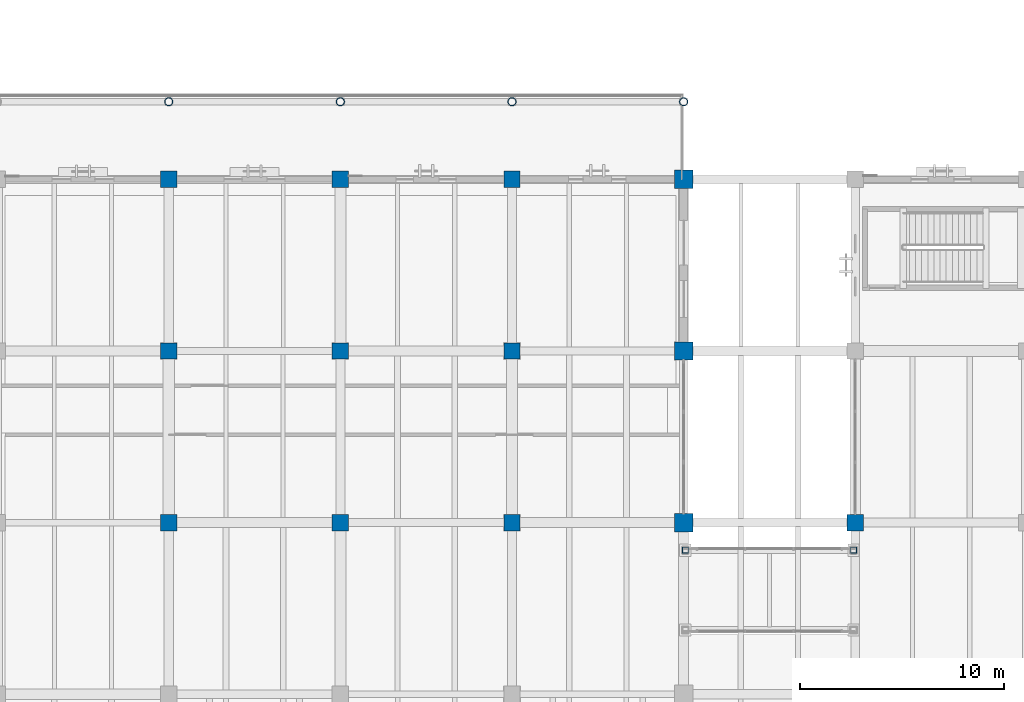
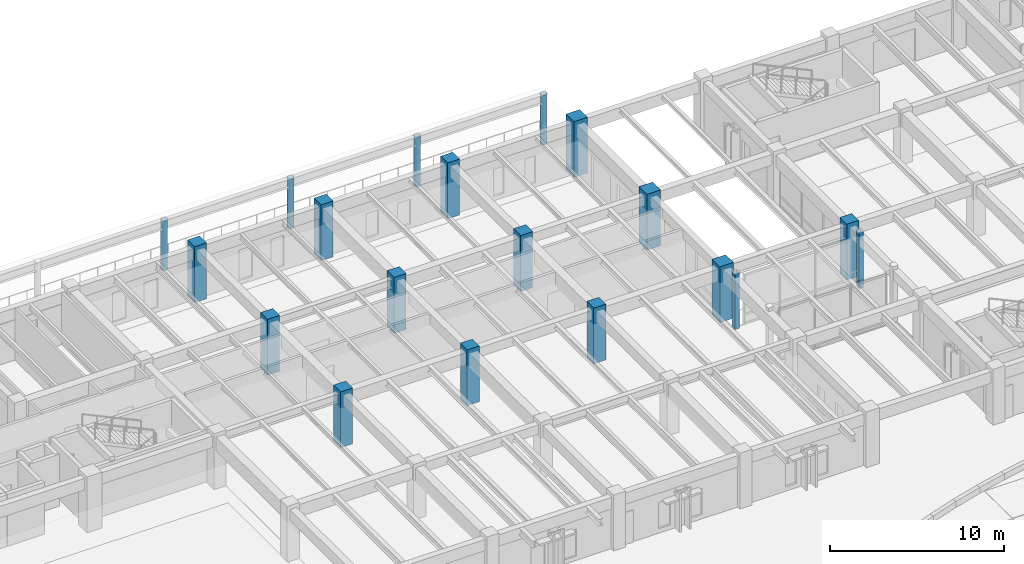
# One storey, part 15 of 135: 19 columns.
"""IFC4 building model written with IfcOpenShell, lengths in metres."""

import ifcopenshell
import ifcopenshell.guid

model = None  # the IFC model being written
_history = None  # IfcOwnerHistory: only IFC2X3 demands one
_inside = {}  # id of a spatial element -> (the spatial element, [elements in it])
_under = {}  # id of a project, library or spatial element -> (it, [spatial elements below it])
_declared = {}  # id of a project -> (the project, [libraries it declares])
_typed = {}  # id of a type object -> (the type object, [elements of that type])
_made_of = {}  # id of a material, layer set ... -> (it, [elements and type objects made of it])


def new_model(schema):
    """Start an empty IFC model of exactly this schema.

    Asked for "IFC4X3", IfcOpenShell would pick the latest addendum, in which some entities
    have other attributes; the version numbers below select the first issue.
    IFC2X3 requires an IfcOwnerHistory on every rooted entity: one is made here for all.
    """
    global model, _history
    if schema == "IFC4X3":
        model = ifcopenshell.file(schema_version=(4, 3, 0, 0))
    else:
        model = ifcopenshell.file(schema=schema)
    _inside.clear()
    _under.clear()
    _declared.clear()
    _typed.clear()
    _made_of.clear()
    _history = None
    if model.schema == "IFC2X3":
        org = make("IfcOrganization", Name="unknown")
        user = make(
            "IfcPersonAndOrganization",
            ThePerson=make("IfcPerson", FamilyName="unknown"),
            TheOrganization=org,
        )
        app = make(
            "IfcApplication",
            ApplicationDeveloper=org,
            Version="unknown",
            ApplicationFullName="unknown",
            ApplicationIdentifier="unknown",
        )
        _history = make(
            "IfcOwnerHistory",
            OwningUser=user,
            OwningApplication=app,
            ChangeAction="ADDED",
            CreationDate=0,
        )
    return model


def make(cls, **values):
    """One entity of the class cls with the attributes given. An attribute that is None is left unset."""
    return model.create_entity(
        cls, **{name: value for name, value in values.items() if value is not None}
    )


def rooted(cls, **values):
    """An entity with a GlobalId (a new one), such as an element, a storey or a relation."""
    return make(cls, GlobalId=ifcopenshell.guid.new(), OwnerHistory=_history, **values)


def si_unit(unit_type, name, prefix=None):
    """IfcSIUnit, for example si_unit("LENGTHUNIT", "METRE", prefix="MILLI")."""
    return make("IfcSIUnit", UnitType=unit_type, Prefix=prefix, Name=name)


def assignment(units):
    """IfcUnitAssignment: the units of a project."""
    return None if units is None else make("IfcUnitAssignment", Units=units)


def point(xyz):
    """IfcCartesianPoint."""
    return None if xyz is None else make("IfcCartesianPoint", Coordinates=xyz)


def direction(xyz):
    """IfcDirection."""
    return None if xyz is None else make("IfcDirection", DirectionRatios=xyz)


def frame(location, z_axis=None, x_axis=None):
    """IfcAxis2Placement3D, a coordinate frame: its origin and axes. An axis left out is left unset."""
    return make(
        "IfcAxis2Placement3D",
        Location=point(location),
        Axis=direction(z_axis),
        RefDirection=direction(x_axis),
    )


def frame_2d(location, x_axis=None):
    """IfcAxis2Placement2D, a coordinate frame in the plane: its origin and x axis."""
    return make(
        "IfcAxis2Placement2D", Location=point(location), RefDirection=direction(x_axis)
    )


def origin():
    """The frame at (0, 0, 0) with its axes left unset."""
    return frame((0.0, 0.0, 0.0))


def origin_2d():
    """The frame at (0, 0) in the plane with its x axis left unset."""
    return frame_2d((0.0, 0.0))


def place(relative_to, where):
    """IfcLocalPlacement: puts the frame where relative to a parent placement (None: the world)."""
    return make(
        "IfcLocalPlacement", PlacementRelTo=relative_to, RelativePlacement=where
    )


def context(
    kind, dimensions, precision=None, world=None, true_north=None, identifier=None
):
    """IfcGeometricRepresentationContext, for example the 3D "Model" context."""
    return make(
        "IfcGeometricRepresentationContext",
        ContextIdentifier=identifier,
        ContextType=kind,
        CoordinateSpaceDimension=dimensions,
        Precision=precision,
        WorldCoordinateSystem=world,
        TrueNorth=true_north,
    )


def subcontext(parent, identifier, kind, view, scale=None):
    """IfcGeometricRepresentationSubContext, for example "Body" below "Model"."""
    return make(
        "IfcGeometricRepresentationSubContext",
        ContextIdentifier=identifier,
        ContextType=kind,
        ParentContext=parent,
        TargetScale=scale,
        TargetView=view,
    )


def project(units=None, contexts=None):
    """IfcProject with its units and contexts."""
    return rooted(
        "IfcProject",
        Name="project",
        RepresentationContexts=contexts,
        UnitsInContext=assignment(units),
    )


def spatial(cls, under=None, at=None, **own):
    """A site, building, storey or space (cls), placed at a placement, below another one or the project."""
    s = rooted(cls, ObjectPlacement=at, **own)
    if under is not None:
        _under.setdefault(under.id(), (under, []))[1].append(s)
    return s


def profile(cls, at=None, kind="AREA", **sizes):
    """A parametric profile (cls). Its sizes go by their IFC names, for example OverallWidth=200.0."""
    return make(cls, ProfileType=kind, Position=at, **sizes)


def rectangle(**sizes):
    """IfcRectangleProfileDef."""
    return profile("IfcRectangleProfileDef", **sizes)


def hollow_rectangle(**sizes):
    """IfcRectangleHollowProfileDef."""
    return profile("IfcRectangleHollowProfileDef", **sizes)


def hollow_circle(**sizes):
    """IfcCircleHollowProfileDef."""
    return profile("IfcCircleHollowProfileDef", **sizes)


def extrude(swept, where, along, depth):
    """IfcExtrudedAreaSolid: the profile swept, set in the frame where, extruded along a direction by depth."""
    return make(
        "IfcExtrudedAreaSolid",
        SweptArea=swept,
        Position=where,
        ExtrudedDirection=direction(along),
        Depth=depth,
    )


def shape(context_of_items, identifier, shape_type, items):
    """IfcShapeRepresentation: the items that make up one representation, for example the "Body"."""
    return make(
        "IfcShapeRepresentation",
        ContextOfItems=context_of_items,
        RepresentationIdentifier=identifier,
        RepresentationType=shape_type,
        Items=items,
    )


def material(Name=None, Category=None):
    """IfcMaterial."""
    return make("IfcMaterial", Name=Name, Category=Category)


def material_profile(
    of_material, cross_section, Name=None, Category=None, Priority=None
):
    """IfcMaterialProfile: a cross section and its material."""
    return make(
        "IfcMaterialProfile",
        Name=Name,
        Material=of_material,
        Profile=cross_section,
        Priority=Priority,
        Category=Category,
    )


def profile_set(profiles, Name=None, composite=None):
    """IfcMaterialProfileSet."""
    return make(
        "IfcMaterialProfileSet",
        Name=Name,
        MaterialProfiles=profiles,
        CompositeProfile=composite,
    )


def made_of(thing, what):
    """Note that an element or type object is made of a material, layer set ...; save() writes the relation."""
    if what is not None:
        _made_of.setdefault(what.id(), (what, []))[1].append(thing)
    return thing


def type_object(cls, material=None, **own):
    """A type object (cls), such as IfcWallType, which elements share."""
    return made_of(rooted(cls, **own), material)


def element(
    cls,
    number,
    at=None,
    inside=None,
    cuts=None,
    type_object=None,
    material=None,
    context=None,
    identifier="Body",
    shape_type=None,
    held_by="IfcProductDefinitionShape",
    body=None,
    shapes=None,
    **own,
):
    """One element of the class cls, such as IfcWall. Its Tag is "e" and its number.

    at: its placement. inside: the storey or other place that contains it. cuts: it is an
    opening in that element (IfcRelVoidsElement). A single representation is given by context,
    identifier, shape_type and body (its items); several are given by shapes. held_by: the class
    of the entity that holds the representations. save() writes the other relations.
    """
    e = rooted(cls, Tag="e%d" % number, ObjectPlacement=at, **own)
    if body is not None:
        shapes = [shape(context, identifier, shape_type, body)]
    if shapes is not None:
        e.Representation = make(held_by, Representations=shapes)
    if inside is not None:
        _inside.setdefault(inside.id(), (inside, []))[1].append(e)
    if cuts is not None:
        rooted(
            "IfcRelVoidsElement", RelatingBuildingElement=cuts, RelatedOpeningElement=e
        )
    if type_object is not None:
        _typed.setdefault(type_object.id(), (type_object, []))[1].append(e)
    return made_of(e, material)


def aggregate(whole, parts):
    """IfcRelAggregates: a whole, such as a stair, and the parts it consists of."""
    return rooted("IfcRelAggregates", RelatingObject=whole, RelatedObjects=parts)


def save(model, path):
    """Write the relations noted so far, then the file.

    IfcRelAggregates (storeys below a building ...), IfcRelContainedInSpatialStructure (elements
    in a storey), IfcRelDefinesByType, IfcRelAssociatesMaterial and IfcRelDeclares: one each for
    every whole, place, type object, material and project.
    """
    for whole, parts in _under.values():
        aggregate(whole, parts)
    for where, things in _inside.values():
        rooted(
            "IfcRelContainedInSpatialStructure",
            RelatedElements=things,
            RelatingStructure=where,
        )
    for kind, things in _typed.values():
        rooted("IfcRelDefinesByType", RelatedObjects=things, RelatingType=kind)
    for what, things in _made_of.values():
        rooted("IfcRelAssociatesMaterial", RelatedObjects=things, RelatingMaterial=what)
    for by, libraries in _declared.values():
        rooted("IfcRelDeclares", RelatingContext=by, RelatedDefinitions=libraries)
    model.write(path)


model = new_model("IFC4")

# Units and contexts
model_context = context("Model", 3, precision=1e-05, world=origin(), true_north=direction((0.0, 1.0)))
body_context = subcontext(model_context, "Body", "Model", "MODEL_VIEW")
ifc_project = project(units=[si_unit("LENGTHUNIT", "METRE"), si_unit("AREAUNIT", "SQUARE_METRE"), si_unit("VOLUMEUNIT", "CUBIC_METRE"), si_unit("PLANEANGLEUNIT", "RADIAN"), si_unit("MASSUNIT", "GRAM", prefix="KILO")], contexts=[model_context])

# Site, building, storey
site_placement = place(None, origin())
site = spatial("IfcSite", under=ifc_project, at=site_placement, CompositionType="ELEMENT")
building_placement = place(site_placement, origin())
building = spatial("IfcBuilding", under=site, at=building_placement, Name="Cumbredor Promenade Congress Hotel", CompositionType="ELEMENT")
storey_placement = place(building_placement, origin())
storey = spatial("IfcBuildingStorey", under=building, at=storey_placement, Name="L00", CompositionType="ELEMENT", Elevation=0.0)

# Columns
ifc_material_1 = material(Name="Concrete C50/60", Category="concrete")
ifc_material_profile_1 = material_profile(ifc_material_1, rectangle(XDim=0.800048828125, YDim=0.800048828125, at=origin_2d()), Name="RC 800x800")
ifc_profile_set_1 = profile_set([ifc_material_profile_1], Name="Concrete C50/60")
column_type_1 = type_object("IfcColumnType", Name="COL-RC-800", PredefinedType="COLUMN", material=ifc_profile_set_1)
for number, where, z_axis, x_axis, name in (
    (1, (58.800048828125, 100.800048828125, 0.0), (0.0, 0.0, 1.0), (1.0, 0.0, 0.0), "L00 Structural Column 075"),
    (2, (58.800048828125, 109.199951171875, 0.0), (0.0, 0.0, 1.0), (1.0, 0.0, 0.0), "L00 Structural Column 076"),
    (3, (58.800048828125, 117.60009765625, 0.0), (0.0, 0.0, 1.0), (1.0, 0.0, 0.0), "L00 Structural Column 077"),
    (4, (67.199951171875, 100.800048828125, 0.0), (0.0, 0.0, 1.0), (1.0, 0.0, 0.0), "L00 Structural Column 088"),
    (5, (67.199951171875, 109.199951171875, 0.0), (0.0, 0.0, 1.0), (1.0, 0.0, 0.0), "L00 Structural Column 089"),
    (6, (67.199951171875, 117.60009765625, 0.0), (0.0, 0.0, 1.0), (1.0, 0.0, 0.0), "L00 Structural Column 090"),
    (7, (75.60009765625, 100.800048828125, 0.0), (0.0, 0.0, 1.0), (1.0, 0.0, 0.0), "L00 Structural Column 099"),
    (8, (75.60009765625, 109.199951171875, 0.0), (0.0, 0.0, 1.0), (1.0, 0.0, 0.0), "L00 Structural Column 100"),
    (9, (75.60009765625, 117.60009765625, 0.0), (0.0, 0.0, 1.0), (1.0, 0.0, 0.0), "L00 Structural Column 101"),
    (10, (92.39990234375, 100.800048828125, 0.0), (0.0, 0.0, 1.0), (1.0, 0.0, 0.0), "L00 Structural Column 117"),
):
    element("IfcColumn", number, at=place(storey_placement, frame(where, z_axis=z_axis, x_axis=x_axis)), inside=storey, type_object=column_type_1, Name=name, PredefinedType="COLUMN", context=body_context, shape_type="SweptSolid", body=[
        extrude(rectangle(XDim=0.800048828125, YDim=0.800048828125, at=origin_2d()), origin(), (0.0, 0.0, 1.0), 3.919921875),
    ])
ifc_material_profile_2 = material_profile(ifc_material_1, rectangle(XDim=0.89990234375, YDim=0.89990234375, at=origin_2d()), Name="RC 900x900")
ifc_profile_set_2 = profile_set([ifc_material_profile_2], Name="Concrete C50/60")
column_type_2 = type_object("IfcColumnType", Name="COL-RC-900", PredefinedType="COLUMN", material=ifc_profile_set_2)
for number, where, z_axis, x_axis, name in (
    (11, (84.0, 100.800048828125, 0.0), (0.0, 0.0, 1.0), (1.0, 0.0, 0.0), "L00 Structural Column 108"),
    (12, (84.0, 109.199951171875, 0.0), (0.0, 0.0, 1.0), (1.0, 0.0, 0.0), "L00 Structural Column 109"),
    (13, (84.0, 117.60009765625, 0.0), (0.0, 0.0, 1.0), (1.0, 0.0, 0.0), "L00 Structural Column 110"),
):
    element("IfcColumn", number, at=place(storey_placement, frame(where, z_axis=z_axis, x_axis=x_axis)), inside=storey, type_object=column_type_2, Name=name, PredefinedType="COLUMN", context=body_context, shape_type="SweptSolid", body=[
        extrude(rectangle(XDim=0.89990234375, YDim=0.89990234375, at=origin_2d()), origin(), (0.0, 0.0, 1.0), 3.919921875),
    ])
ifc_material_2 = material(Name="Steel ASTM A500 Grade C", Category="steel")
ifc_material_profile_3 = material_profile(ifc_material_2, hollow_circle(Radius=0.203125, WallThickness=0.02001953125, at=origin_2d()), Name="CHS 406.4x20")
ifc_profile_set_3 = profile_set([ifc_material_profile_3], Name="Steel ASTM A500 Grade C")
column_type_3 = type_object("IfcColumnType", Name="COL-STL-CHS406", PredefinedType="COLUMN", material=ifc_profile_set_3)
for number, where, z_axis, x_axis, name in (
    (14, (58.800048828125, 121.39990234375, -0.300048828125), (0.0, 0.0, 1.0), (1.0, 0.0, 0.0), "Promenade Colonnade Column TC-038"),
    (15, (67.199951171875, 121.39990234375, -0.300048828125), (0.0, 0.0, 1.0), (1.0, 0.0, 0.0), "Promenade Colonnade Column TC-039"),
    (16, (75.60009765625, 121.39990234375, -0.300048828125), (0.0, 0.0, 1.0), (1.0, 0.0, 0.0), "Promenade Colonnade Column TC-040"),
    (17, (84.0, 121.39990234375, -0.300048828125), (0.0, 0.0, 1.0), (1.0, 0.0, 0.0), "Promenade Colonnade Column TC-041"),
):
    element("IfcColumn", number, at=place(storey_placement, frame(where, z_axis=z_axis, x_axis=x_axis)), inside=storey, type_object=column_type_3, Name=name, PredefinedType="COLUMN", context=body_context, shape_type="SweptSolid", body=[
        extrude(hollow_circle(Radius=0.203125, WallThickness=0.02001953125, at=origin_2d()), origin(), (0.0, 0.0, 1.0), 3.485107421875),
    ])
ifc_material_profile_4 = material_profile(ifc_material_2, hollow_rectangle(XDim=0.300048828125, YDim=0.300048828125, WallThickness=0.01611328125, at=origin_2d()), Name="HSS 300x300x16")
ifc_profile_set_4 = profile_set([ifc_material_profile_4], Name="Steel ASTM A500 Grade C")
column_type_4 = type_object("IfcColumnType", Name="COL-STL-HSS300", PredefinedType="COLUMN", material=ifc_profile_set_4)
for number, where, z_axis, x_axis, name in (
    (18, (84.080078125, 99.449951171875, 0.0), (0.0, 0.0, 1.0), (1.0, 0.0, 0.0), "L00 North Hotel-to-Forum Glazed Bridge Support Column 2"),
    (19, (92.320068359375, 99.449951171875, 0.0), (0.0, 0.0, 1.0), (1.0, 0.0, 0.0), "L00 North Hotel-to-Forum Glazed Bridge Support Column 4"),
):
    element("IfcColumn", number, at=place(storey_placement, frame(where, z_axis=z_axis, x_axis=x_axis)), inside=storey, type_object=column_type_4, Name=name, PredefinedType="COLUMN", context=body_context, shape_type="SweptSolid", body=[
        extrude(hollow_rectangle(XDim=0.300048828125, YDim=0.300048828125, WallThickness=0.01611328125, at=origin_2d()), origin(), (0.0, 0.0, 1.0), 3.919921875),
    ])

save(model, "model.ifc")
